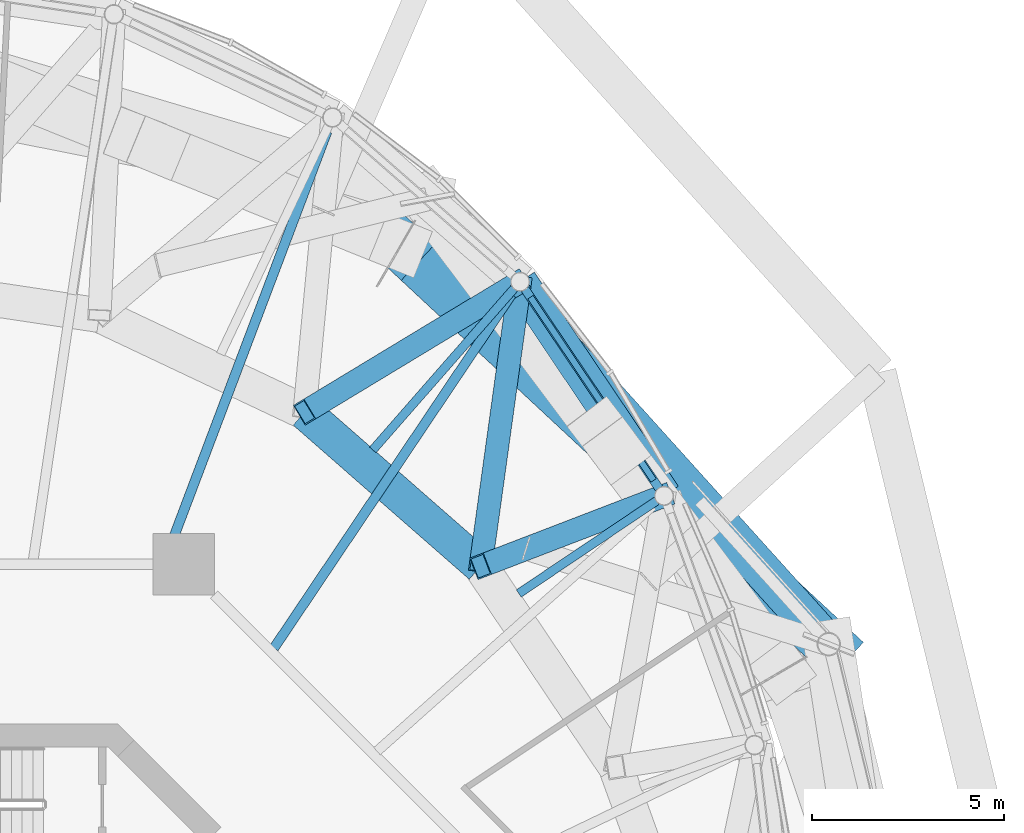
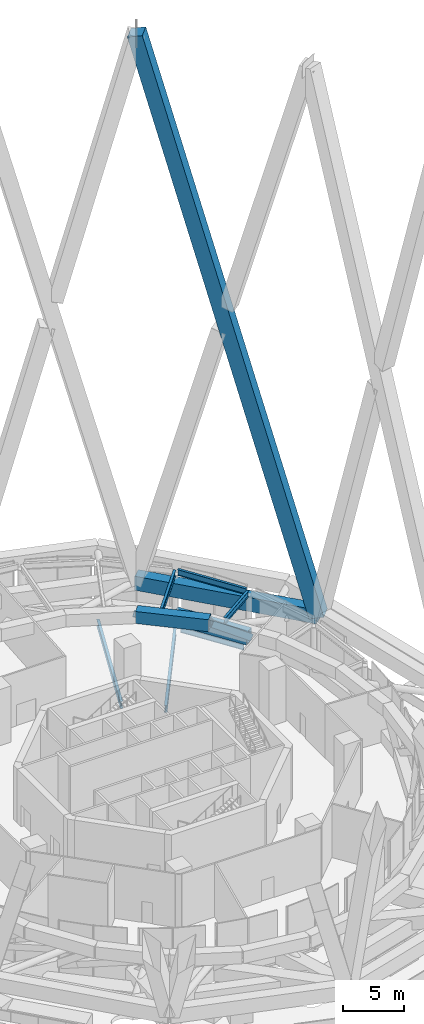
# One storey, part 29 of 48: 11 beams, 2 members.
"""IFC4 building model written with IfcOpenShell, lengths in metres."""

import ifcopenshell
import ifcopenshell.guid

model = None  # the IFC model being written
_history = None  # IfcOwnerHistory: only IFC2X3 demands one
_inside = {}  # id of a spatial element -> (the spatial element, [elements in it])
_under = {}  # id of a project, library or spatial element -> (it, [spatial elements below it])
_declared = {}  # id of a project -> (the project, [libraries it declares])
_typed = {}  # id of a type object -> (the type object, [elements of that type])
_made_of = {}  # id of a material, layer set ... -> (it, [elements and type objects made of it])


def new_model(schema):
    """Start an empty IFC model of exactly this schema.

    Asked for "IFC4X3", IfcOpenShell would pick the latest addendum, in which some entities
    have other attributes; the version numbers below select the first issue.
    IFC2X3 requires an IfcOwnerHistory on every rooted entity: one is made here for all.
    """
    global model, _history
    if schema == "IFC4X3":
        model = ifcopenshell.file(schema_version=(4, 3, 0, 0))
    else:
        model = ifcopenshell.file(schema=schema)
    _inside.clear()
    _under.clear()
    _declared.clear()
    _typed.clear()
    _made_of.clear()
    _history = None
    if model.schema == "IFC2X3":
        org = make("IfcOrganization", Name="unknown")
        user = make(
            "IfcPersonAndOrganization",
            ThePerson=make("IfcPerson", FamilyName="unknown"),
            TheOrganization=org,
        )
        app = make(
            "IfcApplication",
            ApplicationDeveloper=org,
            Version="unknown",
            ApplicationFullName="unknown",
            ApplicationIdentifier="unknown",
        )
        _history = make(
            "IfcOwnerHistory",
            OwningUser=user,
            OwningApplication=app,
            ChangeAction="ADDED",
            CreationDate=0,
        )
    return model


def make(cls, **values):
    """One entity of the class cls with the attributes given. An attribute that is None is left unset."""
    return model.create_entity(
        cls, **{name: value for name, value in values.items() if value is not None}
    )


def rooted(cls, **values):
    """An entity with a GlobalId (a new one), such as an element, a storey or a relation."""
    return make(cls, GlobalId=ifcopenshell.guid.new(), OwnerHistory=_history, **values)


def si_unit(unit_type, name, prefix=None):
    """IfcSIUnit, for example si_unit("LENGTHUNIT", "METRE", prefix="MILLI")."""
    return make("IfcSIUnit", UnitType=unit_type, Prefix=prefix, Name=name)


def assignment(units):
    """IfcUnitAssignment: the units of a project."""
    return None if units is None else make("IfcUnitAssignment", Units=units)


def point(xyz):
    """IfcCartesianPoint."""
    return None if xyz is None else make("IfcCartesianPoint", Coordinates=xyz)


def direction(xyz):
    """IfcDirection."""
    return None if xyz is None else make("IfcDirection", DirectionRatios=xyz)


def frame(location, z_axis=None, x_axis=None):
    """IfcAxis2Placement3D, a coordinate frame: its origin and axes. An axis left out is left unset."""
    return make(
        "IfcAxis2Placement3D",
        Location=point(location),
        Axis=direction(z_axis),
        RefDirection=direction(x_axis),
    )


def frame_2d(location, x_axis=None):
    """IfcAxis2Placement2D, a coordinate frame in the plane: its origin and x axis."""
    return make(
        "IfcAxis2Placement2D", Location=point(location), RefDirection=direction(x_axis)
    )


def origin():
    """The frame at (0, 0, 0) with its axes left unset."""
    return frame((0.0, 0.0, 0.0))


def origin_2d():
    """The frame at (0, 0) in the plane with its x axis left unset."""
    return frame_2d((0.0, 0.0))


def place(relative_to, where):
    """IfcLocalPlacement: puts the frame where relative to a parent placement (None: the world)."""
    return make(
        "IfcLocalPlacement", PlacementRelTo=relative_to, RelativePlacement=where
    )


def context(
    kind, dimensions, precision=None, world=None, true_north=None, identifier=None
):
    """IfcGeometricRepresentationContext, for example the 3D "Model" context."""
    return make(
        "IfcGeometricRepresentationContext",
        ContextIdentifier=identifier,
        ContextType=kind,
        CoordinateSpaceDimension=dimensions,
        Precision=precision,
        WorldCoordinateSystem=world,
        TrueNorth=true_north,
    )


def subcontext(parent, identifier, kind, view, scale=None):
    """IfcGeometricRepresentationSubContext, for example "Body" below "Model"."""
    return make(
        "IfcGeometricRepresentationSubContext",
        ContextIdentifier=identifier,
        ContextType=kind,
        ParentContext=parent,
        TargetScale=scale,
        TargetView=view,
    )


def project(units=None, contexts=None):
    """IfcProject with its units and contexts."""
    return rooted(
        "IfcProject",
        Name="project",
        RepresentationContexts=contexts,
        UnitsInContext=assignment(units),
    )


def spatial(cls, under=None, at=None, **own):
    """A site, building, storey or space (cls), placed at a placement, below another one or the project."""
    s = rooted(cls, ObjectPlacement=at, **own)
    if under is not None:
        _under.setdefault(under.id(), (under, []))[1].append(s)
    return s


def profile(cls, at=None, kind="AREA", **sizes):
    """A parametric profile (cls). Its sizes go by their IFC names, for example OverallWidth=200.0."""
    return make(cls, ProfileType=kind, Position=at, **sizes)


def rectangle(**sizes):
    """IfcRectangleProfileDef."""
    return profile("IfcRectangleProfileDef", **sizes)


def hollow_rectangle(**sizes):
    """IfcRectangleHollowProfileDef."""
    return profile("IfcRectangleHollowProfileDef", **sizes)


def i_section(**sizes):
    """IfcIShapeProfileDef."""
    return profile("IfcIShapeProfileDef", **sizes)


def extrude(swept, where, along, depth):
    """IfcExtrudedAreaSolid: the profile swept, set in the frame where, extruded along a direction by depth."""
    return make(
        "IfcExtrudedAreaSolid",
        SweptArea=swept,
        Position=where,
        ExtrudedDirection=direction(along),
        Depth=depth,
    )


def shape(context_of_items, identifier, shape_type, items):
    """IfcShapeRepresentation: the items that make up one representation, for example the "Body"."""
    return make(
        "IfcShapeRepresentation",
        ContextOfItems=context_of_items,
        RepresentationIdentifier=identifier,
        RepresentationType=shape_type,
        Items=items,
    )


def material(Name=None, Category=None):
    """IfcMaterial."""
    return make("IfcMaterial", Name=Name, Category=Category)


def material_profile(
    of_material, cross_section, Name=None, Category=None, Priority=None
):
    """IfcMaterialProfile: a cross section and its material."""
    return make(
        "IfcMaterialProfile",
        Name=Name,
        Material=of_material,
        Profile=cross_section,
        Priority=Priority,
        Category=Category,
    )


def profile_set(profiles, Name=None, composite=None):
    """IfcMaterialProfileSet."""
    return make(
        "IfcMaterialProfileSet",
        Name=Name,
        MaterialProfiles=profiles,
        CompositeProfile=composite,
    )


def made_of(thing, what):
    """Note that an element or type object is made of a material, layer set ...; save() writes the relation."""
    if what is not None:
        _made_of.setdefault(what.id(), (what, []))[1].append(thing)
    return thing


def type_object(cls, material=None, **own):
    """A type object (cls), such as IfcWallType, which elements share."""
    return made_of(rooted(cls, **own), material)


def element(
    cls,
    number,
    at=None,
    inside=None,
    cuts=None,
    type_object=None,
    material=None,
    context=None,
    identifier="Body",
    shape_type=None,
    held_by="IfcProductDefinitionShape",
    body=None,
    shapes=None,
    **own,
):
    """One element of the class cls, such as IfcWall. Its Tag is "e" and its number.

    at: its placement. inside: the storey or other place that contains it. cuts: it is an
    opening in that element (IfcRelVoidsElement). A single representation is given by context,
    identifier, shape_type and body (its items); several are given by shapes. held_by: the class
    of the entity that holds the representations. save() writes the other relations.
    """
    e = rooted(cls, Tag="e%d" % number, ObjectPlacement=at, **own)
    if body is not None:
        shapes = [shape(context, identifier, shape_type, body)]
    if shapes is not None:
        e.Representation = make(held_by, Representations=shapes)
    if inside is not None:
        _inside.setdefault(inside.id(), (inside, []))[1].append(e)
    if cuts is not None:
        rooted(
            "IfcRelVoidsElement", RelatingBuildingElement=cuts, RelatedOpeningElement=e
        )
    if type_object is not None:
        _typed.setdefault(type_object.id(), (type_object, []))[1].append(e)
    return made_of(e, material)


def aggregate(whole, parts):
    """IfcRelAggregates: a whole, such as a stair, and the parts it consists of."""
    return rooted("IfcRelAggregates", RelatingObject=whole, RelatedObjects=parts)


def save(model, path):
    """Write the relations noted so far, then the file.

    IfcRelAggregates (storeys below a building ...), IfcRelContainedInSpatialStructure (elements
    in a storey), IfcRelDefinesByType, IfcRelAssociatesMaterial and IfcRelDeclares: one each for
    every whole, place, type object, material and project.
    """
    for whole, parts in _under.values():
        aggregate(whole, parts)
    for where, things in _inside.values():
        rooted(
            "IfcRelContainedInSpatialStructure",
            RelatedElements=things,
            RelatingStructure=where,
        )
    for kind, things in _typed.values():
        rooted("IfcRelDefinesByType", RelatedObjects=things, RelatingType=kind)
    for what, things in _made_of.values():
        rooted("IfcRelAssociatesMaterial", RelatedObjects=things, RelatingMaterial=what)
    for by, libraries in _declared.values():
        rooted("IfcRelDeclares", RelatingContext=by, RelatedDefinitions=libraries)
    model.write(path)


model = new_model("IFC4")

# Units and contexts
model_context = context("Model", 3, precision=1e-05, world=origin(), true_north=direction((0.0, 1.0)))
body_context = subcontext(model_context, "Body", "Model", "MODEL_VIEW")
ifc_project = project(units=[si_unit("LENGTHUNIT", "METRE"), si_unit("AREAUNIT", "SQUARE_METRE"), si_unit("VOLUMEUNIT", "CUBIC_METRE"), si_unit("PLANEANGLEUNIT", "RADIAN"), si_unit("MASSUNIT", "GRAM", prefix="KILO")], contexts=[model_context])

# Site, building, storey
site_placement = place(None, origin())
site = spatial("IfcSite", under=ifc_project, at=site_placement, CompositionType="ELEMENT")
building_placement = place(site_placement, origin())
building = spatial("IfcBuilding", under=site, at=building_placement, Name="Nagisa Residences", CompositionType="ELEMENT")
storey_placement = place(building_placement, frame((0.0, 0.0, 252.89990234375)))
storey = spatial("IfcBuildingStorey", under=building, at=storey_placement, Name="L64", CompositionType="ELEMENT", Elevation=252.89990234375)

# Beams
ifc_material_1 = material(Name="Steel ASTM A572 Gr 50", Category="steel")
ifc_material_profile_1 = material_profile(ifc_material_1, hollow_rectangle(XDim=0.89990234375, YDim=1.199951171875, WallThickness=0.0400390625, at=origin_2d()), Name="BX 900x1200x40")
ifc_profile_set_1 = profile_set([ifc_material_profile_1], Name="Steel ASTM A572 Gr 50")
beam_type_1 = type_object("IfcBeamType", Name="Belt chord 5 BX 900x1200x40", PredefinedType="BEAM", material=ifc_profile_set_1)
beam_1_placement = place(storey_placement, frame((18.6123046875, 16.562744140625, 0.60009765625), z_axis=(-0.558112035626, 0.82976560286, 0.0), x_axis=(-0.82976560286, -0.558112035626, 0.0)))
element("IfcBeam", 1, at=beam_1_placement, inside=storey, type_object=beam_type_1, Name="beam:L64:bt5b03", PredefinedType="BEAM", context=body_context, shape_type="SweptSolid", body=[
    extrude(hollow_rectangle(XDim=0.89990234375, YDim=1.199951171875, WallThickness=0.0400390625, at=origin_2d()), origin(), (0.0, 0.0, 1.0), 6.711669921875),
])
beam_2_placement = place(storey_placement, frame((13.84130859375, 14.729736328125, 4.739990234375), z_axis=(-0.752385412669, 0.658723151865, 0.0), x_axis=(-0.658723151865, -0.752385412669, 0.0)))
element("IfcBeam", 2, at=beam_2_placement, inside=storey, type_object=beam_type_1, Name="beam:L64:bt5t04", PredefinedType="BEAM", context=body_context, shape_type="SweptSolid", body=[
    extrude(hollow_rectangle(XDim=0.89990234375, YDim=1.199951171875, WallThickness=0.0400390625, at=origin_2d()), origin(), (0.0, 0.0, 1.0), 6.089111328125),
])
ifc_material_2 = material(Name="Steel ASTM A572 Gr 50", Category="steel")
ifc_material_profile_2 = material_profile(ifc_material_2, hollow_rectangle(XDim=0.60009765625, YDim=0.60009765625, WallThickness=0.034912109375, at=origin_2d()), Name="BX 600x600x35")
ifc_profile_set_2 = profile_set([ifc_material_profile_2], Name="Steel ASTM A572 Gr 50")
beam_type_2 = type_object("IfcBeamType", Name="Belt diagonal 5 BX 600x600x35", PredefinedType="BEAM", material=ifc_profile_set_2)
beam_3_placement = place(storey_placement, frame((18.6123046875, 16.562744140625, 0.60009765625), z_axis=(-0.725371726475, -0.278686466195, 0.629420139486), x_axis=(0.358639757311, -0.933476043868, 0.0)))
element("IfcBeam", 3, at=beam_3_placement, inside=storey, type_object=beam_type_2, Name="beam:L64:bt5db03", PredefinedType="BEAM", context=body_context, shape_type="SweptSolid", body=[
    extrude(hollow_rectangle(XDim=0.60009765625, YDim=0.60009765625, WallThickness=0.034912109375, at=origin_2d()), origin(), (0.0, 0.0, 1.0), 6.577392578125),
])
beam_4_placement = place(storey_placement, frame((14.866455078125, 22.1318359375, 0.60009765625), z_axis=(-0.120000172741, -0.866464690959, 0.484601793087), x_axis=(0.990545495996, -0.137184621448, 0.0)))
element("IfcBeam", 4, at=beam_4_placement, inside=storey, type_object=beam_type_2, Name="beam:L64:bt5da04", PredefinedType="BEAM", context=body_context, shape_type="SweptSolid", body=[
    extrude(hollow_rectangle(XDim=0.60009765625, YDim=0.60009765625, WallThickness=0.034912109375, at=origin_2d()), origin(), (0.0, 0.0, 1.0), 8.54296875),
])
beam_5_placement = place(storey_placement, frame((14.866455078125, 22.1318359375, 0.60009765625), z_axis=(-0.723363590715, -0.43753354272, 0.534143720943), x_axis=(0.517550047564, -0.855652936807, 0.0)))
element("IfcBeam", 5, at=beam_5_placement, inside=storey, type_object=beam_type_2, Name="beam:L64:bt5db04", PredefinedType="BEAM", context=body_context, shape_type="SweptSolid", body=[
    extrude(hollow_rectangle(XDim=0.60009765625, YDim=0.60009765625, WallThickness=0.034912109375, at=origin_2d()), origin(), (0.0, 0.0, 1.0), 7.75048828125),
])

# Members
ifc_material_3 = material(Name="Concrete C80", Category="concrete")
ifc_material_profile_3 = material_profile(ifc_material_3, rectangle(XDim=1.300048828125, YDim=1.300048828125, at=origin_2d()), Name="C80 1300x1300")
ifc_profile_set_3 = profile_set([ifc_material_profile_3], Name="Concrete C80")
member_type_1 = type_object("IfcMemberType", Name="Cage diagonal 6 C80 1300x1300", PredefinedType="BRACE", material=ifc_profile_set_3)
member_1_placement = place(storey_placement, frame((22.89892578125, 12.702392578125, 3.7001953125), z_axis=(-0.193233663352, 0.179867187921, 0.964525036511), x_axis=(-0.681337326899, -0.731969566973, 0.0)))
element("IfcMember", 6, at=member_1_placement, inside=storey, type_object=member_type_1, Name="mem:L64:cg6d003", PredefinedType="BRACE", context=body_context, shape_type="SweptSolid", body=[
    extrude(rectangle(XDim=1.300048828125, YDim=1.300048828125, at=origin_2d()), origin(), (0.0, 0.0, 1.0), 57.644775390625),
])
ifc_material_4 = material(Name="Concrete C80", Category="concrete")
ifc_material_profile_4 = material_profile(ifc_material_4, rectangle(XDim=1.0, YDim=1.39990234375, at=origin_2d()), Name="C80 1000x1400")
ifc_profile_set_4 = profile_set([ifc_material_profile_4], Name="Concrete C80")
member_type_2 = type_object("IfcMemberType", Name="Cage ring 6 C80 1000x1400", PredefinedType="CHORD", material=ifc_profile_set_4)
member_2_placement = place(storey_placement, frame((22.89892578125, 12.702392578125, 3.7001953125), z_axis=(-0.66953205413, 0.742783163846, 0.0), x_axis=(-0.742783163846, -0.66953205413, 0.0)))
element("IfcMember", 7, at=member_2_placement, inside=storey, type_object=member_type_2, Name="beam:L64:cg6r002", PredefinedType="CHORD", context=body_context, shape_type="SweptSolid", body=[
    extrude(rectangle(XDim=1.0, YDim=1.39990234375, at=origin_2d()), origin(), (0.0, 0.0, 1.0), 15.591552734375),
])

# Beams
ifc_material_5 = material(Name="Steel ASTM A572 Gr 50", Category="steel")
ifc_material_profile_5 = material_profile(ifc_material_5, i_section(OverallWidth=0.22802734375, OverallDepth=0.60302734375, WebThickness=0.010498046875, FlangeThickness=0.014892578125, at=origin_2d()), Name="W610x101")
ifc_profile_set_5 = profile_set([ifc_material_profile_5], Name="Steel ASTM A572 Gr 50")
beam_type_3 = type_object("IfcBeamType", Name="Garden edge beam W610x101", PredefinedType="BEAM", material=ifc_profile_set_5)
beam_6_placement = place(storey_placement, frame((18.481689453125, 16.7568359375, 5.03857421875), z_axis=(-0.558097400869, 0.829775446216, 0.0), x_axis=(-0.829775446216, -0.558097400869, 0.0)))
element("IfcBeam", 8, at=beam_6_placement, inside=storey, type_object=beam_type_3, Name="beam:L64:bt5ge03", PredefinedType="BEAM", context=body_context, shape_type="SweptSolid", body=[
    extrude(i_section(OverallWidth=0.22802734375, OverallDepth=0.60302734375, WebThickness=0.010498046875, FlangeThickness=0.014892578125, at=origin_2d()), origin(), (0.0, 0.0, 1.0), 6.24365234375),
])
ifc_material_6 = material(Name="Steel ASTM A572 Gr 50", Category="steel")
ifc_material_profile_6 = material_profile(ifc_material_6, i_section(OverallWidth=0.22802734375, OverallDepth=0.60302734375, WebThickness=0.010498046875, FlangeThickness=0.014892578125, at=origin_2d()), Name="W610x101")
ifc_profile_set_6 = profile_set([ifc_material_profile_6], Name="Steel ASTM A572 Gr 50")
beam_type_4 = type_object("IfcBeamType", Name="Garden radial beam W610x101", PredefinedType="BEAM", material=ifc_profile_set_6)
beam_7_placement = place(storey_placement, frame((18.41796875, 16.43212890625, 5.03857421875), z_axis=(-0.829799232044, -0.558062034633, 0.0), x_axis=(0.558062034633, -0.829799232044, 0.0)))
element("IfcBeam", 9, at=beam_7_placement, inside=storey, type_object=beam_type_4, Name="beam:L64:bt5gr03", PredefinedType="BEAM", context=body_context, shape_type="SweptSolid", body=[
    extrude(i_section(OverallWidth=0.22802734375, OverallDepth=0.60302734375, WebThickness=0.010498046875, FlangeThickness=0.014892578125, at=origin_2d()), origin(), (0.0, 0.0, 1.0), 4.31787109375),
])
beam_8_placement = place(storey_placement, frame((14.71240234375, 21.955810546875, 5.03857421875), z_axis=(-0.658746151699, -0.752365275396, 0.0), x_axis=(0.752365275396, -0.658746151699, 0.0)))
element("IfcBeam", 10, at=beam_8_placement, inside=storey, type_object=beam_type_4, Name="beam:L64:bt5gr04", PredefinedType="BEAM", context=body_context, shape_type="SweptSolid", body=[
    extrude(i_section(OverallWidth=0.22802734375, OverallDepth=0.60302734375, WebThickness=0.010498046875, FlangeThickness=0.014892578125, at=origin_2d()), origin(), (0.0, 0.0, 1.0), 5.580810546875),
])
ifc_material_7 = material(Name="Steel ASTM A572 Gr 50", Category="steel")
ifc_material_profile_7 = material_profile(ifc_material_7, i_section(OverallWidth=0.166015625, OverallDepth=0.534912109375, WebThickness=0.01025390625, FlangeThickness=0.0166015625, at=origin_2d()), Name="W530x85")
ifc_profile_set_7 = profile_set([ifc_material_profile_7], Name="Steel ASTM A572 Gr 50")
beam_type_5 = type_object("IfcBeamType", Name="Perimeter ring beam W530x85", PredefinedType="BEAM", material=ifc_profile_set_7)
beam_9_placement = place(storey_placement, frame((18.34228515625, 16.964111328125, -0.617431640625), z_axis=(-0.558109119402, 0.829767564345, 0.0), x_axis=(-0.829767564345, -0.558109119402, 0.0)))
element("IfcBeam", 11, at=beam_9_placement, inside=storey, type_object=beam_type_5, Name="beam:L64:pb03", PredefinedType="BEAM", context=body_context, shape_type="SweptSolid", body=[
    extrude(i_section(OverallWidth=0.166015625, OverallDepth=0.534912109375, WebThickness=0.01025390625, FlangeThickness=0.0166015625, at=origin_2d()), origin(), (0.0, 0.0, 1.0), 5.74365234375),
])
ifc_material_8 = material(Name="Steel ASTM A572 Gr 50", Category="steel")
ifc_material_profile_8 = material_profile(ifc_material_8, i_section(OverallWidth=0.2529296875, OverallDepth=0.677978515625, WebThickness=0.01171875, FlangeThickness=0.016357421875, at=origin_2d()), Name="W690x125")
ifc_profile_set_8 = profile_set([ifc_material_profile_8], Name="Steel ASTM A572 Gr 50")
beam_type_6 = type_object("IfcBeamType", Name="Radial beam W690x125", PredefinedType="BEAM", material=ifc_profile_set_8)
beam_10_placement = place(storey_placement, frame((14.64697265625, 21.804931640625, -0.68896484375), z_axis=(-0.557608270037, -0.830104220677, 0.0), x_axis=(0.830104220677, -0.557608270037, 0.0)))
element("IfcBeam", 12, at=beam_10_placement, inside=storey, type_object=beam_type_6, Name="beam:L64:rb04", PredefinedType="BEAM", context=body_context, shape_type="SweptSolid", body=[
    extrude(i_section(OverallWidth=0.2529296875, OverallDepth=0.677978515625, WebThickness=0.01171875, FlangeThickness=0.016357421875, at=origin_2d()), origin(), (0.0, 0.0, 1.0), 11.088134765625),
])
beam_11_placement = place(storey_placement, frame((9.84716796875, 26.04052734375, -0.68896484375), z_axis=(-0.353702192254, -0.935358091425, 0.0), x_axis=(0.935358091425, -0.353702192254, 0.0)))
element("IfcBeam", 13, at=beam_11_placement, inside=storey, type_object=beam_type_6, Name="beam:L64:rb05", PredefinedType="BEAM", context=body_context, shape_type="SweptSolid", body=[
    extrude(i_section(OverallWidth=0.2529296875, OverallDepth=0.677978515625, WebThickness=0.01171875, FlangeThickness=0.016357421875, at=origin_2d()), origin(), (0.0, 0.0, 1.0), 11.9150390625),
])

save(model, "model.ifc")
